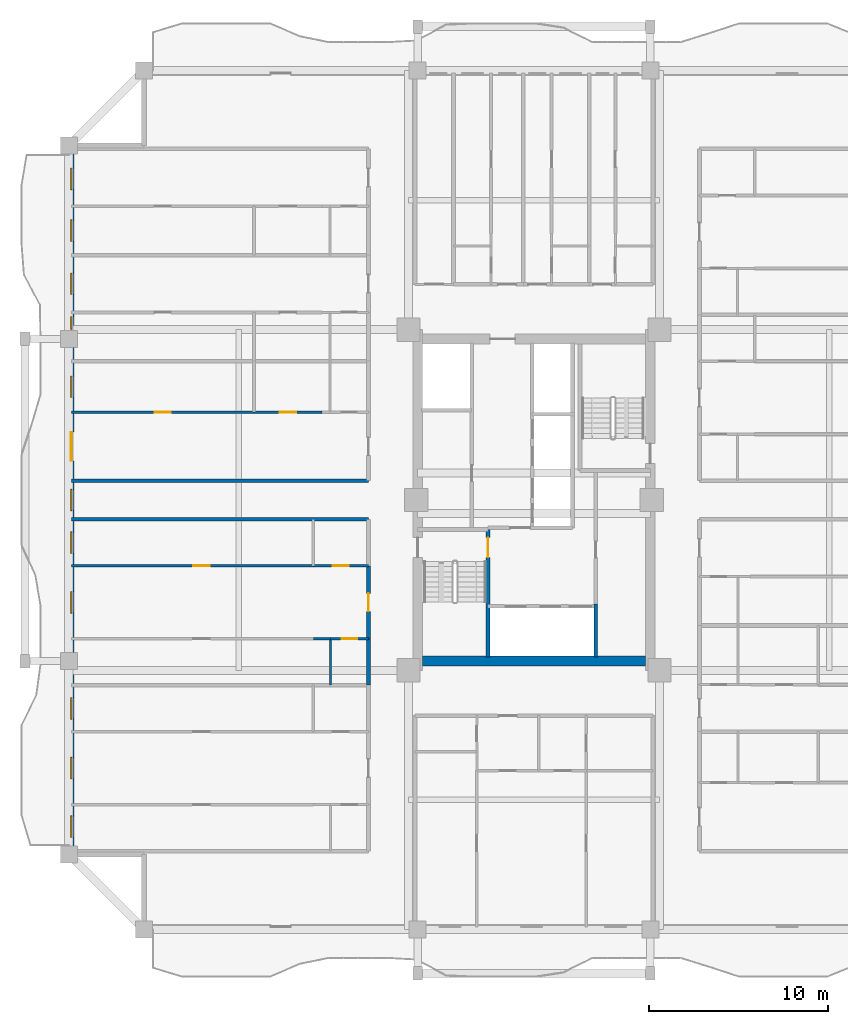
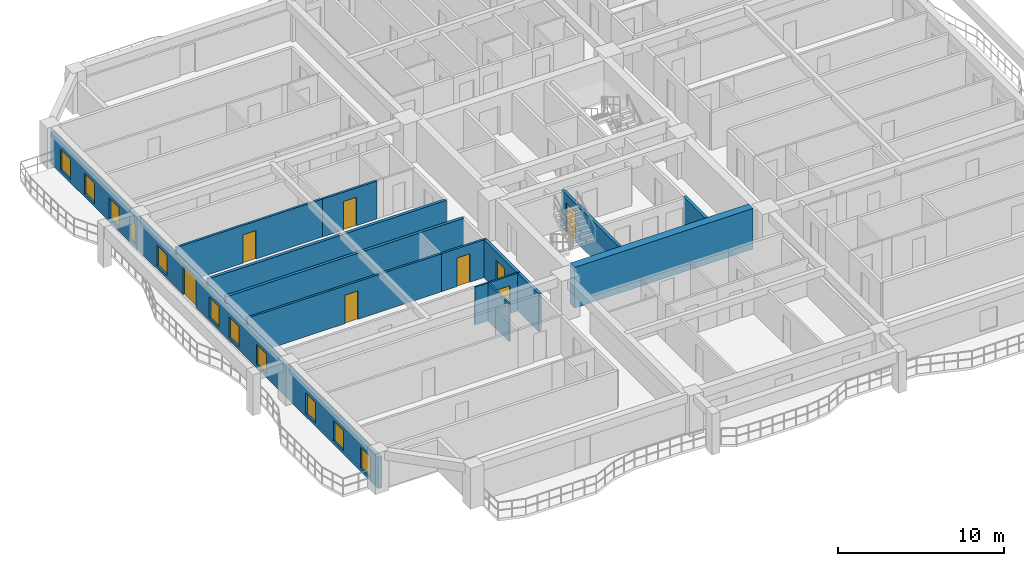
# One storey, part 3 of 14: 15 walls, 11 windows, 8 doors, 19 openings.
"""IFC4 building model written with IfcOpenShell, lengths in metres."""

from ifc_helpers import new_model, si_unit, direction, frame, frame_2d, origin, place, context, subcontext, project, spatial, rectangle, extrude, source, transform, mapped, material, layer, layer_set, type_object, element, fill, save


model = new_model("IFC4")

# Units and contexts
model_context = context("Model", 3, precision=1e-05, world=origin(), true_north=direction((0.0, 1.0)))
body_context = subcontext(model_context, "Body", "Model", "MODEL_VIEW")
ifc_project = project(units=[si_unit("LENGTHUNIT", "METRE"), si_unit("AREAUNIT", "SQUARE_METRE"), si_unit("VOLUMEUNIT", "CUBIC_METRE"), si_unit("PLANEANGLEUNIT", "RADIAN"), si_unit("MASSUNIT", "GRAM", prefix="KILO")], contexts=[model_context])

# Site, building, storey
site_placement = place(None, origin())
site = spatial("IfcSite", under=ifc_project, at=site_placement, CompositionType="ELEMENT")
building_placement = place(site_placement, origin())
building = spatial("IfcBuilding", under=site, at=building_placement, Name="Saelheon Loggia Tower", CompositionType="ELEMENT")
storey_placement = place(building_placement, frame((0.0, 0.0, 113.85009765625)))
storey = spatial("IfcBuildingStorey", under=building, at=storey_placement, Name="L36", CompositionType="ELEMENT", Elevation=113.85009765625)

# Wall
ifc_material_1 = material(Name="Concrete C50/60", Category="concrete")
ifc_layer_1 = layer(ifc_material_1, 0.550048828125)
ifc_layer_set_1 = layer_set([ifc_layer_1], Name="Concrete C50/60")
wall_type_1 = type_object("IfcWallType", Name="Wall_CoreShear_550", PredefinedType="SHEAR", material=ifc_layer_set_1)
wall_1_placement = place(storey_placement, frame((31.77490234375, 18.0, 0.0), z_axis=(0.0, 0.0, 1.0), x_axis=(1.0, 0.0, 0.0)))
element("IfcWall", 1, at=wall_1_placement, inside=storey, type_object=wall_type_1, Name="L36 Core Shear Wall South", PredefinedType="SHEAR", context=body_context, shape_type="SweptSolid", body=[
    extrude(rectangle(XDim=12.4501953125, YDim=0.550048828125, at=frame_2d((6.22509765625, 0.0))), origin(), (0.0, 0.0, 1.0), 3.0),
])

# Wall, openings, windows, door
ifc_material_2 = material(Name="Architectural Precast Concrete C40/50", Category="concrete")
ifc_layer_2 = layer(ifc_material_2, 0.280029296875)
ifc_layer_set_2 = layer_set([ifc_layer_2], Name="Architectural Precast Concrete C40/50")
wall_type_2 = type_object("IfcWallType", Name="Wall_Ext_Loggia_280", PredefinedType="SOLIDWALL", material=ifc_layer_set_2)
wall_2_placement = place(storey_placement, frame((12.139892578125, 7.199951171875, 0.0), z_axis=(0.0, 0.0, 1.0), x_axis=(0.0, 1.0, 0.0)))
wall_2 = element("IfcWall", 2, at=wall_2_placement, inside=storey, type_object=wall_type_2, Name="L36 West Loggia Inner Wall", PredefinedType="SOLIDWALL", context=body_context, shape_type="SweptSolid", body=[
    extrude(rectangle(XDim=39.60009765625, YDim=0.280029296875, at=frame_2d((19.800048828125, 0.0))), origin(), (0.0, 0.0, 1.0), 2.27978515625),
])
opening_1_placement = place(wall_2_placement, frame((0.9453125, 0.0, 0.25)))
opening_1 = element("IfcOpeningElement", 3, at=opening_1_placement, cuts=wall_2, Name="Opening WN-03", PredefinedType="OPENING", context=body_context, shape_type="SweptSolid", body=[
    extrude(rectangle(XDim=1.199951171875, YDim=1.5, at=frame_2d((0.60009765625, 0.75))), frame((0.0, 0.152099609375, 0.0), z_axis=(0.0, -1.0, 0.0), x_axis=(1.0, 0.0, 0.0)), (0.0, 0.0, 1.0), 0.303955078125),
])
opening_2_placement = place(wall_2_placement, frame((4.212890625, 0.0, 0.25)))
opening_2 = element("IfcOpeningElement", 4, at=opening_2_placement, cuts=wall_2, Name="Opening WN-03", PredefinedType="OPENING", context=body_context, shape_type="SweptSolid", body=[
    extrude(rectangle(XDim=1.199951171875, YDim=1.5, at=frame_2d((0.60009765625, 0.75))), frame((0.0, 0.152099609375, 0.0), z_axis=(0.0, -1.0, 0.0), x_axis=(1.0, 0.0, 0.0)), (0.0, 0.0, 1.0), 0.303955078125),
])
opening_3_placement = place(wall_2_placement, frame((7.550048828125, 0.0, 0.25)))
opening_3 = element("IfcOpeningElement", 5, at=opening_3_placement, cuts=wall_2, Name="Opening WN-03", PredefinedType="OPENING", context=body_context, shape_type="SweptSolid", body=[
    extrude(rectangle(XDim=1.199951171875, YDim=1.5, at=frame_2d((0.60009765625, 0.75))), frame((0.0, 0.152099609375, 0.0), z_axis=(0.0, -1.0, 0.0), x_axis=(1.0, 0.0, 0.0)), (0.0, 0.0, 1.0), 0.303955078125),
])
opening_4_placement = place(wall_2_placement, frame((13.48291015625, 0.0, 0.25)))
opening_4 = element("IfcOpeningElement", 6, at=opening_4_placement, cuts=wall_2, Name="Opening WN-03", PredefinedType="OPENING", context=body_context, shape_type="SweptSolid", body=[
    extrude(rectangle(XDim=1.199951171875, YDim=1.5, at=frame_2d((0.60009765625, 0.75))), frame((0.0, 0.152099609375, 0.0), z_axis=(0.0, -1.0, 0.0), x_axis=(1.0, 0.0, 0.0)), (0.0, 0.0, 1.0), 0.303955078125),
])
opening_5_placement = place(wall_2_placement, frame((16.820068359375, 0.0, 0.25)))
opening_5 = element("IfcOpeningElement", 7, at=opening_5_placement, cuts=wall_2, Name="Opening WN-03", PredefinedType="OPENING", context=body_context, shape_type="SweptSolid", body=[
    extrude(rectangle(XDim=1.199951171875, YDim=1.5, at=frame_2d((0.60009765625, 0.75))), frame((0.0, 0.152099609375, 0.0), z_axis=(0.0, -1.0, 0.0), x_axis=(1.0, 0.0, 0.0)), (0.0, 0.0, 1.0), 0.303955078125),
])
opening_6_placement = place(wall_2_placement, frame((19.199951171875, 0.0, 0.25)))
opening_6 = element("IfcOpeningElement", 8, at=opening_6_placement, cuts=wall_2, Name="Opening WN-03", PredefinedType="OPENING", context=body_context, shape_type="SweptSolid", body=[
    extrude(rectangle(XDim=1.199951171875, YDim=1.5, at=frame_2d((0.60009765625, 0.75))), frame((0.0, 0.152099609375, 0.0), z_axis=(0.0, -1.0, 0.0), x_axis=(1.0, 0.0, 0.0)), (0.0, 0.0, 1.0), 0.303955078125),
])
opening_7_placement = place(wall_2_placement, frame((21.9921875, 0.0, 0.0)))
opening_7 = element("IfcOpeningElement", 9, at=opening_7_placement, cuts=wall_2, Name="Opening DLG-1", PredefinedType="OPENING", context=body_context, shape_type="SweptSolid", body=[
    extrude(rectangle(XDim=1.60009765625, YDim=2.14990234375, at=frame_2d((0.800048828125, 1.074951171875))), frame((0.0, 0.152099609375, 0.0), z_axis=(0.0, -1.0, 0.0), x_axis=(1.0, 0.0, 0.0)), (0.0, 0.0, 1.0), 0.303955078125),
])
opening_8_placement = place(wall_2_placement, frame((25.529296875, 0.0, 0.25)))
opening_8 = element("IfcOpeningElement", 10, at=opening_8_placement, cuts=wall_2, Name="Opening WN-03", PredefinedType="OPENING", context=body_context, shape_type="SweptSolid", body=[
    extrude(rectangle(XDim=1.199951171875, YDim=1.5, at=frame_2d((0.60009765625, 0.75))), frame((0.0, 0.152099609375, 0.0), z_axis=(0.0, -1.0, 0.0), x_axis=(1.0, 0.0, 0.0)), (0.0, 0.0, 1.0), 0.303955078125),
])
opening_9_placement = place(wall_2_placement, frame((29.34912109375, 0.0, 0.25)))
opening_9 = element("IfcOpeningElement", 11, at=opening_9_placement, cuts=wall_2, Name="Opening WN-06", PredefinedType="OPENING", context=body_context, shape_type="SweptSolid", body=[
    extrude(rectangle(XDim=0.699951171875, YDim=1.5, at=frame_2d((0.35009765625, 0.75))), frame((0.0, 0.152099609375, 0.0), z_axis=(0.0, -1.0, 0.0), x_axis=(1.0, 0.0, 0.0)), (0.0, 0.0, 1.0), 0.303955078125),
])
opening_10_placement = place(wall_2_placement, frame((31.285400390625, 0.0, 0.25)))
opening_10 = element("IfcOpeningElement", 12, at=opening_10_placement, cuts=wall_2, Name="Opening WN-03", PredefinedType="OPENING", context=body_context, shape_type="SweptSolid", body=[
    extrude(rectangle(XDim=1.199951171875, YDim=1.5, at=frame_2d((0.60009765625, 0.75))), frame((0.0, 0.152099609375, 0.0), z_axis=(0.0, -1.0, 0.0), x_axis=(1.0, 0.0, 0.0)), (0.0, 0.0, 1.0), 0.303955078125),
])
opening_11_placement = place(wall_2_placement, frame((34.251708984375, 0.0, 0.25)))
opening_11 = element("IfcOpeningElement", 13, at=opening_11_placement, cuts=wall_2, Name="Opening WN-03", PredefinedType="OPENING", context=body_context, shape_type="SweptSolid", body=[
    extrude(rectangle(XDim=1.199951171875, YDim=1.5, at=frame_2d((0.60009765625, 0.75))), frame((0.0, 0.152099609375, 0.0), z_axis=(0.0, -1.0, 0.0), x_axis=(1.0, 0.0, 0.0)), (0.0, 0.0, 1.0), 0.303955078125),
])
opening_12_placement = place(wall_2_placement, frame((37.150634765625, 0.0, 0.25)))
opening_12 = element("IfcOpeningElement", 14, at=opening_12_placement, cuts=wall_2, Name="Opening WN-03", PredefinedType="OPENING", context=body_context, shape_type="SweptSolid", body=[
    extrude(rectangle(XDim=1.199951171875, YDim=1.5, at=frame_2d((0.60009765625, 0.75))), frame((0.0, 0.152099609375, 0.0), z_axis=(0.0, -1.0, 0.0), x_axis=(1.0, 0.0, 0.0)), (0.0, 0.0, 1.0), 0.303955078125),
])
ifc_material_3 = material(Name="Thermal-Break Aluminium and Triple Low-E Glass", Category="aluminium")
window_type_1 = type_object("IfcWindowType", Name="Win_Slot_700x1500", PartitioningType="SINGLE_PANEL", PredefinedType="WINDOW", material=ifc_material_3)
shared_shape_1 = source(origin(), body_context, "Body", "SweptSolid", [
    extrude(rectangle(XDim=0.699951171875, YDim=1.5, at=frame_2d((0.35009765625, 0.75))), frame((0.0, 0.030029296875, 0.0), z_axis=(0.0, -1.0, 0.0), x_axis=(1.0, 0.0, 0.0)), (0.0, 0.0, 1.0), 0.06005859375),
])
window_1_placement = place(opening_9_placement, origin())
window_1 = element("IfcWindow", 15, at=window_1_placement, inside=storey, type_object=window_type_1, Name="L36 W Dwelling Window 9", OverallHeight=1.5, OverallWidth=0.699951171875, PartitioningType="SINGLE_PANEL", PredefinedType="WINDOW", context=body_context, shape_type="MappedRepresentation", body=[
    mapped(shared_shape_1, transform((0.0, 0.0, 0.0), scale=1.0)),
])
fill(opening_9, window_1)
window_type_2 = type_object("IfcWindowType", Name="Win_Bedroom_1200x1500", PartitioningType="SINGLE_PANEL", PredefinedType="WINDOW", material=ifc_material_3)
shared_shape_2 = source(origin(), body_context, "Body", "SweptSolid", [
    extrude(rectangle(XDim=1.199951171875, YDim=1.5, at=frame_2d((0.60009765625, 0.75))), frame((0.0, 0.030029296875, 0.0), z_axis=(0.0, -1.0, 0.0), x_axis=(1.0, 0.0, 0.0)), (0.0, 0.0, 1.0), 0.06005859375),
])
window_2_placement = place(opening_1_placement, origin())
window_2 = element("IfcWindow", 16, at=window_2_placement, inside=storey, type_object=window_type_2, Name="L36 W Dwelling Window 1", OverallHeight=1.5, OverallWidth=1.199951171875, PartitioningType="SINGLE_PANEL", PredefinedType="WINDOW", context=body_context, shape_type="MappedRepresentation", body=[
    mapped(shared_shape_2, transform((0.0, 0.0, 0.0), scale=1.0)),
])
fill(opening_1, window_2)
window_3_placement = place(opening_2_placement, origin())
window_3 = element("IfcWindow", 17, at=window_3_placement, inside=storey, type_object=window_type_2, Name="L36 W Dwelling Window 2", OverallHeight=1.5, OverallWidth=1.199951171875, PartitioningType="SINGLE_PANEL", PredefinedType="WINDOW", context=body_context, shape_type="MappedRepresentation", body=[
    mapped(shared_shape_2, transform((0.0, 0.0, 0.0), scale=1.0)),
])
fill(opening_2, window_3)
window_4_placement = place(opening_3_placement, origin())
window_4 = element("IfcWindow", 18, at=window_4_placement, inside=storey, type_object=window_type_2, Name="L36 W Dwelling Window 3", OverallHeight=1.5, OverallWidth=1.199951171875, PartitioningType="SINGLE_PANEL", PredefinedType="WINDOW", context=body_context, shape_type="MappedRepresentation", body=[
    mapped(shared_shape_2, transform((0.0, 0.0, 0.0), scale=1.0)),
])
fill(opening_3, window_4)
window_5_placement = place(opening_4_placement, origin())
window_5 = element("IfcWindow", 19, at=window_5_placement, inside=storey, type_object=window_type_2, Name="L36 W Dwelling Window 4", OverallHeight=1.5, OverallWidth=1.199951171875, PartitioningType="SINGLE_PANEL", PredefinedType="WINDOW", context=body_context, shape_type="MappedRepresentation", body=[
    mapped(shared_shape_2, transform((0.0, 0.0, 0.0), scale=1.0)),
])
fill(opening_4, window_5)
window_6_placement = place(opening_5_placement, origin())
window_6 = element("IfcWindow", 20, at=window_6_placement, inside=storey, type_object=window_type_2, Name="L36 W Dwelling Window 5", OverallHeight=1.5, OverallWidth=1.199951171875, PartitioningType="SINGLE_PANEL", PredefinedType="WINDOW", context=body_context, shape_type="MappedRepresentation", body=[
    mapped(shared_shape_2, transform((0.0, 0.0, 0.0), scale=1.0)),
])
fill(opening_5, window_6)
window_7_placement = place(opening_6_placement, origin())
window_7 = element("IfcWindow", 21, at=window_7_placement, inside=storey, type_object=window_type_2, Name="L36 W Dwelling Window 6", OverallHeight=1.5, OverallWidth=1.199951171875, PartitioningType="SINGLE_PANEL", PredefinedType="WINDOW", context=body_context, shape_type="MappedRepresentation", body=[
    mapped(shared_shape_2, transform((0.0, 0.0, 0.0), scale=1.0)),
])
fill(opening_6, window_7)
window_8_placement = place(opening_8_placement, origin())
window_8 = element("IfcWindow", 22, at=window_8_placement, inside=storey, type_object=window_type_2, Name="L36 W Dwelling Window 8", OverallHeight=1.5, OverallWidth=1.199951171875, PartitioningType="SINGLE_PANEL", PredefinedType="WINDOW", context=body_context, shape_type="MappedRepresentation", body=[
    mapped(shared_shape_2, transform((0.0, 0.0, 0.0), scale=1.0)),
])
fill(opening_8, window_8)
window_9_placement = place(opening_10_placement, origin())
window_9 = element("IfcWindow", 23, at=window_9_placement, inside=storey, type_object=window_type_2, Name="L36 W Dwelling Window 10", OverallHeight=1.5, OverallWidth=1.199951171875, PartitioningType="SINGLE_PANEL", PredefinedType="WINDOW", context=body_context, shape_type="MappedRepresentation", body=[
    mapped(shared_shape_2, transform((0.0, 0.0, 0.0), scale=1.0)),
])
fill(opening_10, window_9)
window_10_placement = place(opening_11_placement, origin())
window_10 = element("IfcWindow", 24, at=window_10_placement, inside=storey, type_object=window_type_2, Name="L36 W Dwelling Window 11", OverallHeight=1.5, OverallWidth=1.199951171875, PartitioningType="SINGLE_PANEL", PredefinedType="WINDOW", context=body_context, shape_type="MappedRepresentation", body=[
    mapped(shared_shape_2, transform((0.0, 0.0, 0.0), scale=1.0)),
])
fill(opening_11, window_10)
window_11_placement = place(opening_12_placement, origin())
window_11 = element("IfcWindow", 25, at=window_11_placement, inside=storey, type_object=window_type_2, Name="L36 W Dwelling Window 12", OverallHeight=1.5, OverallWidth=1.199951171875, PartitioningType="SINGLE_PANEL", PredefinedType="WINDOW", context=body_context, shape_type="MappedRepresentation", body=[
    mapped(shared_shape_2, transform((0.0, 0.0, 0.0), scale=1.0)),
])
fill(opening_12, window_11)
ifc_material_4 = material(Name="Thermal-Break Aluminium Sliding Glazed Door", Category="aluminium")
door_type_1 = type_object("IfcDoorType", Name="Door_LoggiaSlide_1600", OperationType="SLIDING_TO_LEFT", PredefinedType="DOOR", material=ifc_material_4)
shared_shape_3 = source(origin(), body_context, "Body", "SweptSolid", [
    extrude(rectangle(XDim=1.60009765625, YDim=2.14990234375, at=frame_2d((0.800048828125, 1.074951171875))), frame((0.0, 0.02490234375, 0.0), z_axis=(0.0, -1.0, 0.0), x_axis=(1.0, 0.0, 0.0)), (0.0, 0.0, 1.0), 0.050048828125),
])
door_1_placement = place(opening_7_placement, origin())
door_1 = element("IfcDoor", 26, at=door_1_placement, inside=storey, type_object=door_type_1, Name="L36 W Loggia Access Door", OperationType="SLIDING_TO_LEFT", OverallHeight=2.14990234375, OverallWidth=1.60009765625, PredefinedType="DOOR", context=body_context, shape_type="MappedRepresentation", body=[
    mapped(shared_shape_3, transform((0.0, 0.0, 0.0), scale=1.0)),
])
fill(opening_7, door_1)

# Wall, opening, door
ifc_material_5 = material(Name="Lightweight Autoclaved Aerated Concrete Block and Acoustic Gypsum", Category="concrete")
ifc_layer_3 = layer(ifc_material_5, 0.14990234375)
ifc_layer_set_3 = layer_set([ifc_layer_3], Name="Lightweight Autoclaved Aerated Concrete Block and Acoustic Gypsum")
wall_type_3 = type_object("IfcWallType", Name="Wall_Part_150", PredefinedType="PARTITIONING", material=ifc_layer_set_3)
wall_3_placement = place(storey_placement, frame((28.75, 23.320068359375, 0.0), z_axis=(0.0, 0.0, 1.0), x_axis=(-1.0, 0.0, 0.0)))
wall_3 = element("IfcWall", 27, at=wall_3_placement, inside=storey, type_object=wall_type_3, Name="L36 WS Partition U22", PredefinedType="PARTITIONING", context=body_context, shape_type="SweptSolid", body=[
    extrude(rectangle(XDim=3.080078125, YDim=0.14990234375, at=frame_2d((1.5400390625, 0.0))), origin(), (0.0, 0.0, 1.0), 2.789794921875),
])
opening_13_placement = place(wall_3_placement, frame((1.090087890625, 0.0, 0.0)))
opening_13 = element("IfcOpeningElement", 28, at=opening_13_placement, cuts=wall_3, Name="Opening D-IN2", PredefinedType="OPENING", context=body_context, shape_type="SweptSolid", body=[
    extrude(rectangle(XDim=0.89990234375, YDim=2.10009765625, at=frame_2d((0.449951171875, 1.050048828125))), frame((0.0, 0.0869140625, 0.0), z_axis=(0.0, -1.0, 0.0), x_axis=(1.0, 0.0, 0.0)), (0.0, 0.0, 1.0), 0.173828125),
])
ifc_material_6 = material(Name="Engineered Oak Flush Door", Category="timber")
door_type_2 = type_object("IfcDoorType", Name="Door_Int_900", OperationType="NOTDEFINED", PredefinedType="DOOR", material=ifc_material_6)
shared_shape_4 = source(origin(), body_context, "Body", "SweptSolid", [
    extrude(rectangle(XDim=0.89990234375, YDim=2.10009765625, at=frame_2d((0.449951171875, 1.050048828125))), frame((0.0, 0.02490234375, 0.0), z_axis=(0.0, -1.0, 0.0), x_axis=(1.0, 0.0, 0.0)), (0.0, 0.0, 1.0), 0.050048828125),
])
door_2_placement = place(opening_13_placement, origin())
door_2 = element("IfcDoor", 29, at=door_2_placement, inside=storey, type_object=door_type_2, Name="Unit U06 Dressing Closet Door", OperationType="SINGLE_SWING_LEFT", OverallHeight=2.10009765625, OverallWidth=0.89990234375, PredefinedType="DOOR", context=body_context, shape_type="MappedRepresentation", body=[
    mapped(shared_shape_4, transform((0.0, 0.0, 0.0), scale=1.0)),
])
fill(opening_13, door_2)

wall_4_placement = place(storey_placement, frame((25.669921875, 23.320068359375, 0.0), z_axis=(0.0, 0.0, 1.0), x_axis=(-1.0, 0.0, 0.0)))
wall_4 = element("IfcWall", 30, at=wall_4_placement, inside=storey, type_object=wall_type_3, Name="L36 WS Partition U23", PredefinedType="PARTITIONING", context=body_context, shape_type="SweptSolid", body=[
    extrude(rectangle(XDim=13.52001953125, YDim=0.14990234375, at=frame_2d((6.760009765625, 0.0))), origin(), (0.0, 0.0, 1.0), 2.789794921875),
])
opening_14_placement = place(wall_4_placement, frame((5.80419921875, 0.0, 0.0)))
opening_14 = element("IfcOpeningElement", 31, at=opening_14_placement, cuts=wall_4, Name="Opening D-IN2", PredefinedType="OPENING", context=body_context, shape_type="SweptSolid", body=[
    extrude(rectangle(XDim=0.89990234375, YDim=2.10009765625, at=frame_2d((0.449951171875, 1.050048828125))), frame((0.0, 0.0869140625, 0.0), z_axis=(0.0, -1.0, 0.0), x_axis=(1.0, 0.0, 0.0)), (0.0, 0.0, 1.0), 0.173828125),
])
door_3_placement = place(opening_14_placement, origin())
door_3 = element("IfcDoor", 32, at=door_3_placement, inside=storey, type_object=door_type_2, Name="Unit U06 Bedroom 1 Door", OperationType="SINGLE_SWING_RIGHT", OverallHeight=2.10009765625, OverallWidth=0.89990234375, PredefinedType="DOOR", context=body_context, shape_type="MappedRepresentation", body=[
    mapped(shared_shape_4, transform((0.0, 0.0, 0.0), scale=1.0)),
])
fill(opening_14, door_3)

wall_5_placement = place(storey_placement, frame((26.14990234375, 31.904296875, 0.0), z_axis=(0.0, 0.0, 1.0), x_axis=(-1.0, 0.0, 0.0)))
wall_5 = element("IfcWall", 33, at=wall_5_placement, inside=storey, type_object=wall_type_3, Name="L36 WN Partition U09", PredefinedType="PARTITIONING", context=body_context, shape_type="SweptSolid", body=[
    extrude(rectangle(XDim=3.7998046875, YDim=0.14990234375, at=frame_2d((1.89990234375, 0.0))), origin(), (0.0, 0.0, 1.0), 2.789794921875),
])
opening_15_placement = place(wall_5_placement, frame((1.449951171875, 0.0, 0.0)))
opening_15 = element("IfcOpeningElement", 34, at=opening_15_placement, cuts=wall_5, Name="Opening D-IN2", PredefinedType="OPENING", context=body_context, shape_type="SweptSolid", body=[
    extrude(rectangle(XDim=0.89990234375, YDim=2.10009765625, at=frame_2d((0.449951171875, 1.050048828125))), frame((0.0, 0.0869140625, 0.0), z_axis=(0.0, -1.0, 0.0), x_axis=(1.0, 0.0, 0.0)), (0.0, 0.0, 1.0), 0.173828125),
])
door_4_placement = place(opening_15_placement, origin())
door_4 = element("IfcDoor", 35, at=door_4_placement, inside=storey, type_object=door_type_2, Name="Unit U07 Kitchen Door", OperationType="SINGLE_SWING_LEFT", OverallHeight=2.10009765625, OverallWidth=0.89990234375, PredefinedType="DOOR", context=body_context, shape_type="MappedRepresentation", body=[
    mapped(shared_shape_4, transform((0.0, 0.0, 0.0), scale=1.0)),
])
fill(opening_15, door_4)

wall_6_placement = place(storey_placement, frame((22.35009765625, 31.904296875, 0.0), z_axis=(0.0, 0.0, 1.0), x_axis=(-1.0, 0.0, 0.0)))
wall_6 = element("IfcWall", 36, at=wall_6_placement, inside=storey, type_object=wall_type_3, Name="L36 WN Partition U10", PredefinedType="PARTITIONING", context=body_context, shape_type="SweptSolid", body=[
    extrude(rectangle(XDim=10.2001953125, YDim=0.14990234375, at=frame_2d((5.10009765625, 0.0))), origin(), (0.0, 0.0, 1.0), 2.789794921875),
])
opening_16_placement = place(wall_6_placement, frame((4.64990234375, 0.0, 0.0)))
opening_16 = element("IfcOpeningElement", 37, at=opening_16_placement, cuts=wall_6, Name="Opening D-IN2", PredefinedType="OPENING", context=body_context, shape_type="SweptSolid", body=[
    extrude(rectangle(XDim=0.89990234375, YDim=2.10009765625, at=frame_2d((0.449951171875, 1.050048828125))), frame((0.0, 0.0869140625, 0.0), z_axis=(0.0, -1.0, 0.0), x_axis=(1.0, 0.0, 0.0)), (0.0, 0.0, 1.0), 0.173828125),
])
door_5_placement = place(opening_16_placement, origin())
door_5 = element("IfcDoor", 38, at=door_5_placement, inside=storey, type_object=door_type_2, Name="Unit U07 Bedroom 1 Door", OperationType="SINGLE_SWING_RIGHT", OverallHeight=2.10009765625, OverallWidth=0.89990234375, PredefinedType="DOOR", context=body_context, shape_type="MappedRepresentation", body=[
    mapped(shared_shape_4, transform((0.0, 0.0, 0.0), scale=1.0)),
])
fill(opening_16, door_5)

# Walls
ifc_material_7 = material(Name="Double Acoustic Stud and Fireboard Partition", Category="gypsum")
ifc_layer_4 = layer(ifc_material_7, 0.199951171875)
ifc_layer_set_4 = layer_set([ifc_layer_4], Name="Double Acoustic Stud and Fireboard Partition")
wall_type_4 = type_object("IfcWallType", Name="Wall_Party_200", PredefinedType="PARTITIONING", material=ifc_layer_set_4)
wall_7_placement = place(storey_placement, frame((28.75, 25.919921875, 0.0), z_axis=(0.0, 0.0, 1.0), x_axis=(-1.0, 0.0, 0.0)))
element("IfcWall", 39, at=wall_7_placement, inside=storey, type_object=wall_type_4, Name="L36 WS Partition U02", PredefinedType="PARTITIONING", context=body_context, shape_type="SweptSolid", body=[
    extrude(rectangle(XDim=16.60009765625, YDim=0.199951171875, at=frame_2d((8.300048828125, 0.0))), origin(), (0.0, 0.0, 1.0), 2.789794921875),
])
wall_8_placement = place(storey_placement, frame((28.75, 16.64990234375, 0.0), z_axis=(0.0, 0.0, 1.0), x_axis=(0.0, 1.0, 0.0)))
element("IfcWall", 40, at=wall_8_placement, inside=storey, type_object=wall_type_4, Name="L36 WS Partition V14", PredefinedType="PARTITIONING", context=body_context, shape_type="SweptSolid", body=[
    extrude(rectangle(XDim=2.595703125, YDim=0.199951171875, at=frame_2d((1.2978515625, 0.0))), origin(), (0.0, 0.0, 1.0), 2.789794921875),
])

# Wall, opening, door
wall_9_placement = place(storey_placement, frame((28.75, 19.24560546875, 0.0), z_axis=(0.0, 0.0, 1.0), x_axis=(0.0, 1.0, 0.0)))
wall_9 = element("IfcWall", 41, at=wall_9_placement, inside=storey, type_object=wall_type_4, Name="L36 WS Partition V15", PredefinedType="PARTITIONING", context=body_context, shape_type="SweptSolid", body=[
    extrude(rectangle(XDim=4.074462890625, YDim=0.199951171875, at=frame_2d((2.037109375, 0.0))), origin(), (0.0, 0.0, 1.0), 2.789794921875),
])
opening_17_placement = place(wall_9_placement, frame((1.537109375, 0.0, 0.0)))
opening_17 = element("IfcOpeningElement", 42, at=opening_17_placement, cuts=wall_9, Name="Opening D-FD1", PredefinedType="OPENING", context=body_context, shape_type="SweptSolid", body=[
    extrude(rectangle(XDim=1.0, YDim=2.14990234375, at=frame_2d((0.5, 1.074951171875))), frame((0.0, 0.112060546875, 0.0), z_axis=(0.0, -1.0, 0.0), x_axis=(1.0, 0.0, 0.0)), (0.0, 0.0, 1.0), 0.223876953125),
])
ifc_material_8 = material(Name="Fire-Rated Engineered Timber Entrance Door", Category="wood")
door_type_3 = type_object("IfcDoorType", Name="Door_Flat_FD30S", OperationType="NOTDEFINED", PredefinedType="DOOR", material=ifc_material_8)
shared_shape_5 = source(origin(), body_context, "Body", "SweptSolid", [
    extrude(rectangle(XDim=1.0, YDim=2.14990234375, at=frame_2d((0.5, 1.074951171875))), frame((0.0, 0.02490234375, 0.0), z_axis=(0.0, -1.0, 0.0), x_axis=(1.0, 0.0, 0.0)), (0.0, 0.0, 1.0), 0.050048828125),
])
door_6_placement = place(opening_17_placement, origin())
door_6 = element("IfcDoor", 43, at=door_6_placement, inside=storey, type_object=door_type_3, Name="Unit U06 Entrance Door", OperationType="SINGLE_SWING_RIGHT", OverallHeight=2.14990234375, OverallWidth=1.0, PredefinedType="DOOR", context=body_context, shape_type="MappedRepresentation", body=[
    mapped(shared_shape_5, transform((0.0, 0.0, 0.0), scale=1.0)),
])
fill(opening_17, door_6)

# Walls
wall_10_placement = place(storey_placement, frame((28.75, 28.080078125, 0.0), z_axis=(0.0, 0.0, 1.0), x_axis=(-1.0, 0.0, 0.0)))
element("IfcWall", 44, at=wall_10_placement, inside=storey, type_object=wall_type_4, Name="L36 WN Partition U01", PredefinedType="PARTITIONING", context=body_context, shape_type="SweptSolid", body=[
    extrude(rectangle(XDim=16.60009765625, YDim=0.199951171875, at=frame_2d((8.300048828125, 0.0))), origin(), (0.0, 0.0, 1.0), 2.789794921875),
])
ifc_material_9 = material(Name="Concrete C40/50", Category="concrete")
ifc_layer_5 = layer(ifc_material_9, 0.199951171875)
ifc_layer_set_5 = layer_set([ifc_layer_5], Name="Concrete C40/50")
wall_type_5 = type_object("IfcWallType", Name="Wall_Shaft_200", PredefinedType="PARTITIONING", material=ifc_layer_set_5)
wall_11_placement = place(storey_placement, frame((41.449951171875, 18.219970703125, 0.0), z_axis=(0.0, 0.0, 1.0), x_axis=(0.0, 1.0, 0.0)))
element("IfcWall", 45, at=wall_11_placement, inside=storey, type_object=wall_type_5, Name="CW-INT-L36-BOH-W0", PredefinedType="PARTITIONING", context=body_context, shape_type="SweptSolid", body=[
    extrude(rectangle(XDim=2.9599609375, YDim=0.199951171875, at=frame_2d((1.47998046875, 0.0))), origin(), (0.0, 0.0, 1.0), 2.789794921875),
])

# Wall, opening, door
ifc_material_10 = material(Name="Concrete C45/55", Category="concrete")
ifc_layer_6 = layer(ifc_material_10, 0.199951171875)
ifc_layer_set_6 = layer_set([ifc_layer_6], Name="Concrete C45/55")
wall_type_6 = type_object("IfcWallType", Name="Wall_StairShaft_RC200", PredefinedType="SOLIDWALL", material=ifc_layer_set_6)
wall_12_placement = place(storey_placement, frame((35.429931640625, 18.219970703125, 0.0), z_axis=(0.0, 0.0, 1.0), x_axis=(0.0, 1.0, 0.0)))
wall_12 = element("IfcWall", 46, at=wall_12_placement, inside=storey, type_object=wall_type_6, Name="L36 Stair ST1 Shaft Wall", PredefinedType="SOLIDWALL", context=body_context, shape_type="SweptSolid", body=[
    extrude(rectangle(XDim=7.219970703125, YDim=0.199951171875, at=frame_2d((3.60986328125, 0.0))), origin(), (0.0, 0.0, 1.0), 2.789794921875),
])
opening_18_placement = place(wall_12_placement, frame((6.68017578125, 0.0, 0.0), z_axis=(0.0, 0.0, 1.0), x_axis=(-1.0, 0.0, 0.0)))
opening_18 = element("IfcOpeningElement", 47, at=opening_18_placement, cuts=wall_12, Name="Opening D-FD2", PredefinedType="OPENING", context=body_context, shape_type="SweptSolid", body=[
    extrude(rectangle(XDim=1.10009765625, YDim=2.14990234375, at=frame_2d((0.550048828125, 1.074951171875))), frame((0.0, 0.112060546875, 0.0), z_axis=(0.0, -1.0, 0.0), x_axis=(1.0, 0.0, 0.0)), (0.0, 0.0, 1.0), 0.223876953125),
])
ifc_material_11 = material(Name="Galvanised Steel Fire Door", Category="steel")
door_type_4 = type_object("IfcDoorType", Name="Door_Fire_FD60_1100", OperationType="NOTDEFINED", PredefinedType="DOOR", material=ifc_material_11)
shared_shape_6 = source(origin(), body_context, "Body", "SweptSolid", [
    extrude(rectangle(XDim=1.10009765625, YDim=2.14990234375, at=frame_2d((0.550048828125, 1.074951171875))), frame((0.0, 0.02490234375, 0.0), z_axis=(0.0, -1.0, 0.0), x_axis=(1.0, 0.0, 0.0)), (0.0, 0.0, 1.0), 0.050048828125),
])
door_7_placement = place(opening_18_placement, origin())
door_7 = element("IfcDoor", 48, at=door_7_placement, inside=storey, type_object=door_type_4, Name="L36 Stair ST1 Lobby Door", OperationType="SINGLE_SWING_RIGHT", OverallHeight=2.14990234375, OverallWidth=1.10009765625, PredefinedType="DOOR", context=body_context, shape_type="MappedRepresentation", body=[
    mapped(shared_shape_6, transform((0.0, 0.0, 0.0), scale=1.0)),
])
fill(opening_18, door_7)

# Wall
ifc_material_12 = material(Name="Moisture-Resistant Cement Board Partition", Category="gypsum")
ifc_layer_7 = layer(ifc_material_12, 0.1201171875)
ifc_layer_set_7 = layer_set([ifc_layer_7], Name="Moisture-Resistant Cement Board Partition")
wall_type_7 = type_object("IfcWallType", Name="Wall_WetPart_120", PredefinedType="PARTITIONING", material=ifc_layer_set_7)
wall_13_placement = place(storey_placement, frame((26.6298828125, 16.64990234375, 0.0), z_axis=(0.0, 0.0, 1.0), x_axis=(0.0, 1.0, 0.0)))
element("IfcWall", 49, at=wall_13_placement, inside=storey, type_object=wall_type_7, Name="L36 WS Partition V17", PredefinedType="PARTITIONING", context=body_context, shape_type="SweptSolid", body=[
    extrude(rectangle(XDim=2.595703125, YDim=0.1201171875, at=frame_2d((1.2978515625, 0.0))), origin(), (0.0, 0.0, 1.0), 2.789794921875),
])

# Wall, opening, door
wall_14_placement = place(storey_placement, frame((28.75, 19.24560546875, 0.0), z_axis=(0.0, 0.0, 1.0), x_axis=(-1.0, 0.0, 0.0)))
wall_14 = element("IfcWall", 50, at=wall_14_placement, inside=storey, type_object=wall_type_7, Name="L36 WS Partition U19", PredefinedType="PARTITIONING", context=body_context, shape_type="SweptSolid", body=[
    extrude(rectangle(XDim=2.1201171875, YDim=0.1201171875, at=frame_2d((1.06005859375, 0.0))), origin(), (0.0, 0.0, 1.0), 2.789794921875),
])
opening_19_placement = place(wall_14_placement, frame((0.635009765625, 0.0, 0.0)))
opening_19 = element("IfcOpeningElement", 51, at=opening_19_placement, cuts=wall_14, Name="Opening D-BT1", PredefinedType="OPENING", context=body_context, shape_type="SweptSolid", body=[
    extrude(rectangle(XDim=0.85009765625, YDim=2.050048828125, at=frame_2d((0.425048828125, 1.02490234375))), frame((0.0, 0.072021484375, 0.0), z_axis=(0.0, -1.0, 0.0), x_axis=(1.0, 0.0, 0.0)), (0.0, 0.0, 1.0), 0.14404296875),
])
ifc_material_13 = material(Name="Moisture-Resistant Laminate Timber Door", Category="wood")
door_type_5 = type_object("IfcDoorType", Name="Door_Bath_850", OperationType="NOTDEFINED", PredefinedType="DOOR", material=ifc_material_13)
shared_shape_7 = source(origin(), body_context, "Body", "SweptSolid", [
    extrude(rectangle(XDim=0.85009765625, YDim=2.050048828125, at=frame_2d((0.425048828125, 1.02490234375))), frame((0.0, 0.02490234375, 0.0), z_axis=(0.0, -1.0, 0.0), x_axis=(1.0, 0.0, 0.0)), (0.0, 0.0, 1.0), 0.050048828125),
])
door_8_placement = place(opening_19_placement, origin())
door_8 = element("IfcDoor", 52, at=door_8_placement, inside=storey, type_object=door_type_5, Name="Unit U06 Bathroom Door", OperationType="SINGLE_SWING_LEFT", OverallHeight=2.050048828125, OverallWidth=0.85009765625, PredefinedType="DOOR", context=body_context, shape_type="MappedRepresentation", body=[
    mapped(shared_shape_7, transform((0.0, 0.0, 0.0), scale=1.0)),
])
fill(opening_19, door_8)

# Wall
wall_15_placement = place(storey_placement, frame((26.6298828125, 19.24560546875, 0.0), z_axis=(0.0, 0.0, 1.0), x_axis=(-1.0, 0.0, 0.0)))
element("IfcWall", 53, at=wall_15_placement, inside=storey, type_object=wall_type_7, Name="L36 WS Partition U20", PredefinedType="PARTITIONING", context=body_context, shape_type="SweptSolid", body=[
    extrude(rectangle(XDim=0.9599609375, YDim=0.1201171875, at=frame_2d((0.47998046875, 0.0))), origin(), (0.0, 0.0, 1.0), 2.789794921875),
])

save(model, "model.ifc")
